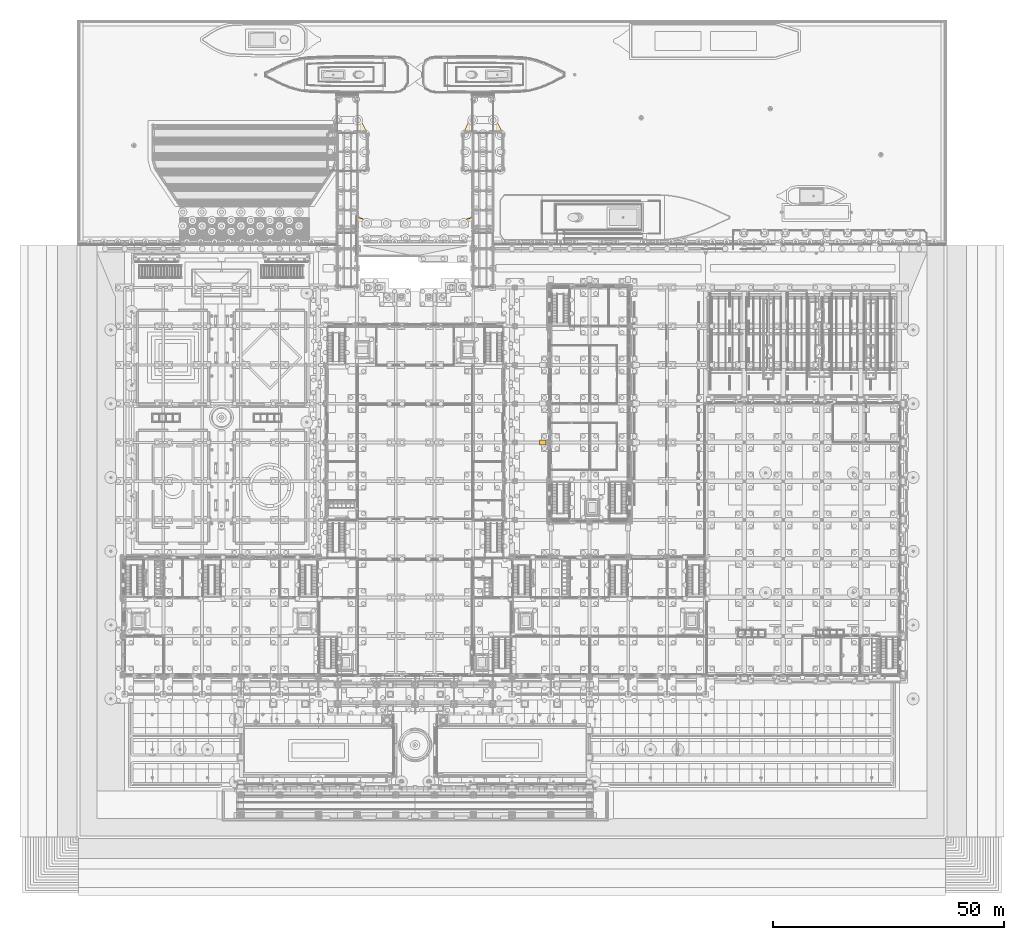
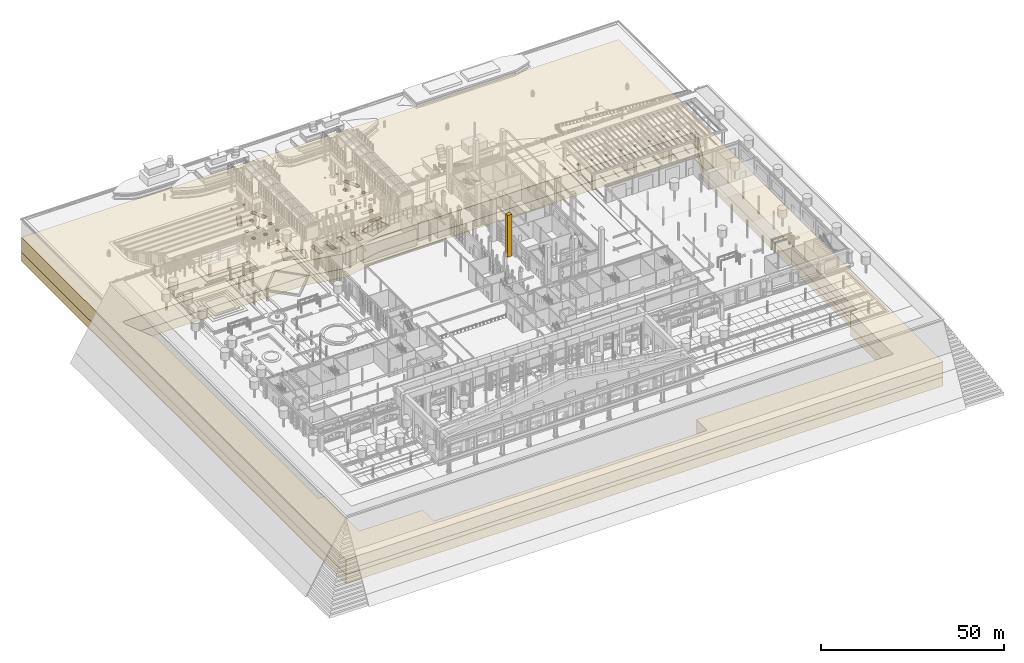
# One storey, part 150 of 222: 3 coverings.
"""IFC4 building model written with IfcOpenShell, lengths in metres."""

from ifc_helpers import new_model, si_unit, direction, frame, origin, origin_2d, place, context, subcontext, project, spatial, polyline, rectangle, outline, extrude, material, layer, layer_set, type_object, element, save


model = new_model("IFC4")

# Units and contexts
model_context = context("Model", 3, precision=1e-05, world=origin(), true_north=direction((0.0, 1.0)))
body_context = subcontext(model_context, "Body", "Model", "MODEL_VIEW")
ifc_project = project(units=[si_unit("LENGTHUNIT", "METRE"), si_unit("AREAUNIT", "SQUARE_METRE"), si_unit("VOLUMEUNIT", "CUBIC_METRE"), si_unit("PLANEANGLEUNIT", "RADIAN"), si_unit("MASSUNIT", "GRAM", prefix="KILO")], contexts=[model_context])

# Site, building, storey
site_placement = place(None, origin())
site = spatial("IfcSite", under=ifc_project, at=site_placement, CompositionType="ELEMENT")
building_placement = place(site_placement, origin())
building = spatial("IfcBuilding", under=site, at=building_placement, Name="Sava Quay Ferry Terminal", CompositionType="ELEMENT")
storey_placement = place(building_placement, origin())
storey = spatial("IfcBuildingStorey", under=building, at=storey_placement, Name="L00", CompositionType="ELEMENT", Elevation=0.0)

# Coverings
ifc_material_1 = material(Name="Marl")
ifc_layer_1 = layer(ifc_material_1, 3.0)
ifc_layer_set_1 = layer_set([ifc_layer_1], Name="Marl")
covering_type_1 = type_object("IfcCoveringType", Name="Marl", PredefinedType="CLADDING", material=ifc_layer_set_1)
covering_1_placement = place(storey_placement, frame((0.0, 0.0, -22.0)))
element("IfcCovering", 1, at=covering_1_placement, inside=storey, type_object=covering_type_1, Name="Marl", PredefinedType="CLADDING", context=body_context, shape_type="SweptSolid", body=[
    extrude(outline(polyline([(-10.0, -10.0), (178.0, -10.0), (178.0, 166.955078125), (-10.0, 166.955078125), (-10.0, -10.0)]), holes=[polyline([(-1.97998046875, 107.06591796875), (-6.030029296875, 116.843994140625), (-6.030029296875, 118.35009765625), (51.303955078125, 118.35009765625), (61.962890625, 116.22998046875), (64.037109375, 116.22998046875), (74.696044921875, 118.35009765625), (174.030029296875, 118.35009765625), (174.030029296875, 116.843994140625), (169.97998046875, 107.06591796875), (169.97998046875, 23.219970703125), (168.030029296875, 23.219970703125), (168.030029296875, -0.030029296875), (106.030029296875, -0.030029296875), (106.030029296875, -6.030029296875), (19.969970703125, -6.030029296875), (19.969970703125, -0.030029296875), (-0.030029296875, -0.030029296875), (-0.030029296875, 19.02001953125), (-1.97998046875, 19.02001953125), (-1.97998046875, 107.06591796875)]), polyline([(53.324951171875, 119.43603515625), (52.02197265625, 119.375), (51.818115234375, 123.720947265625), (53.12109375, 123.781982421875), (53.324951171875, 119.43603515625)]), polyline([(57.52490234375, 119.43603515625), (56.221923828125, 119.375), (56.01806640625, 123.720947265625), (57.321044921875, 123.781982421875), (57.52490234375, 119.43603515625)]), polyline([(61.72509765625, 119.43603515625), (60.422119140625, 119.375), (60.218017578125, 123.720947265625), (61.52099609375, 123.781982421875), (61.72509765625, 119.43603515625)]), polyline([(68.822021484375, 119.375), (68.617919921875, 123.720947265625), (69.9208984375, 123.781982421875), (70.125, 119.43603515625), (68.822021484375, 119.375)]), polyline([(64.6220703125, 119.375), (64.41796875, 123.720947265625), (65.720947265625, 123.781982421875), (65.925048828125, 119.43603515625), (64.6220703125, 119.375)]), polyline([(74.324951171875, 119.43603515625), (73.02197265625, 119.375), (72.818115234375, 123.720947265625), (74.12109375, 123.781982421875), (74.324951171875, 119.43603515625)]), polyline([(38.302978515625, 120.846923828125), (12.096923828125, 120.846923828125), (12.096923828125, 126.052978515625), (38.302978515625, 126.052978515625), (38.302978515625, 120.846923828125)]), polyline([(45.6240234375, 145.073974609375), (45.447021484375, 145.5), (45.6240234375, 145.926025390625), (46.050048828125, 146.10302734375), (46.47607421875, 145.926025390625), (46.653076171875, 145.5), (46.47607421875, 145.073974609375), (46.050048828125, 144.89697265625), (45.6240234375, 145.073974609375)]), polyline([(49.947021484375, 145.5), (50.1240234375, 145.926025390625), (50.550048828125, 146.10302734375), (50.97607421875, 145.926025390625), (51.153076171875, 145.5), (50.97607421875, 145.073974609375), (50.550048828125, 144.89697265625), (50.1240234375, 145.073974609375), (49.947021484375, 145.5)]), polyline([(74.846923828125, 145.5), (75.02392578125, 145.926025390625), (75.449951171875, 146.10302734375), (75.8759765625, 145.926025390625), (76.052978515625, 145.5), (75.8759765625, 145.073974609375), (75.449951171875, 144.89697265625), (75.02392578125, 145.073974609375), (74.846923828125, 145.5)]), polyline([(133.929931640625, 120.679931640625), (133.797119140625, 121.0), (133.929931640625, 121.320068359375), (134.25, 121.452880859375), (134.570068359375, 121.320068359375), (134.702880859375, 121.0), (134.570068359375, 120.679931640625), (134.25, 120.547119140625), (133.929931640625, 120.679931640625)]), polyline([(138.429931640625, 120.679931640625), (138.297119140625, 121.0), (138.429931640625, 121.320068359375), (138.75, 121.452880859375), (139.070068359375, 121.320068359375), (139.202880859375, 121.0), (139.070068359375, 120.679931640625), (138.75, 120.547119140625), (138.429931640625, 120.679931640625)]), polyline([(142.929931640625, 120.679931640625), (142.797119140625, 121.0), (142.929931640625, 121.320068359375), (143.25, 121.452880859375), (143.570068359375, 121.320068359375), (143.702880859375, 121.0), (143.570068359375, 120.679931640625), (143.25, 120.547119140625), (142.929931640625, 120.679931640625)]), polyline([(147.297119140625, 121.0), (147.429931640625, 121.320068359375), (147.75, 121.452880859375), (148.070068359375, 121.320068359375), (148.202880859375, 121.0), (148.070068359375, 120.679931640625), (147.75, 120.547119140625), (147.429931640625, 120.679931640625), (147.297119140625, 121.0)]), polyline([(151.797119140625, 121.0), (151.929931640625, 121.320068359375), (152.25, 121.452880859375), (152.570068359375, 121.320068359375), (152.702880859375, 121.0), (152.570068359375, 120.679931640625), (152.25, 120.547119140625), (151.929931640625, 120.679931640625), (151.797119140625, 121.0)]), polyline([(156.429931640625, 120.679931640625), (156.297119140625, 121.0), (156.429931640625, 121.320068359375), (156.75, 121.452880859375), (157.070068359375, 121.320068359375), (157.202880859375, 121.0), (157.070068359375, 120.679931640625), (156.75, 120.547119140625), (156.429931640625, 120.679931640625)]), polyline([(160.929931640625, 120.679931640625), (160.797119140625, 121.0), (160.929931640625, 121.320068359375), (161.25, 121.452880859375), (161.570068359375, 121.320068359375), (161.702880859375, 121.0), (161.570068359375, 120.679931640625), (161.25, 120.547119140625), (160.929931640625, 120.679931640625)]), polyline([(165.429931640625, 120.679931640625), (165.297119140625, 121.0), (165.429931640625, 121.320068359375), (165.75, 121.452880859375), (166.070068359375, 121.320068359375), (166.202880859375, 121.0), (166.070068359375, 120.679931640625), (165.75, 120.547119140625), (165.429931640625, 120.679931640625)]), polyline([(169.797119140625, 121.0), (169.929931640625, 121.320068359375), (170.25, 121.452880859375), (170.570068359375, 121.320068359375), (170.702880859375, 121.0), (170.570068359375, 120.679931640625), (170.25, 120.547119140625), (169.929931640625, 120.679931640625), (169.797119140625, 121.0)]), polyline([(79.346923828125, 145.5), (79.52392578125, 145.926025390625), (79.949951171875, 146.10302734375), (80.3759765625, 145.926025390625), (80.552978515625, 145.5), (80.3759765625, 145.073974609375), (79.949951171875, 144.89697265625), (79.52392578125, 145.073974609375), (79.346923828125, 145.5)])]), origin(), (0.0, 0.0, 1.0), 3.0),
])
ifc_material_2 = material(Name="Limestone Mutalj", Category="masonry")
ifc_layer_2 = layer(ifc_material_2, 1.35009765625)
ifc_layer_set_2 = layer_set([ifc_layer_2], Name="Limestone Mutalj")
covering_type_2 = type_object("IfcCoveringType", Name="Portico pier 1100", PredefinedType="CLADDING", material=ifc_layer_set_2)
covering_2_placement = place(storey_placement, frame((90.675048828125, 75.60009765625, 0.0), z_axis=(0.0, 0.0, 1.0), x_axis=(1.0, 0.0, 0.0)))
element("IfcCovering", 2, at=covering_2_placement, inside=storey, type_object=covering_type_2, Name="Portico pier", PredefinedType="CLADDING", context=body_context, shape_type="SweptSolid", body=[
    extrude(rectangle(XDim=1.35009765625, YDim=1.10009765625, at=origin_2d()), origin(), (0.0, 0.0, 1.0), 13.89990234375),
])
ifc_material_3 = material(Name="Sand and gravel")
ifc_layer_3 = layer(ifc_material_3, 7.0)
ifc_layer_set_3 = layer_set([ifc_layer_3], Name="Sand and gravel")
covering_type_3 = type_object("IfcCoveringType", Name="Sand and gravel", PredefinedType="CLADDING", material=ifc_layer_set_3)
covering_3_placement = place(storey_placement, frame((0.0, 0.0, -19.0)))
element("IfcCovering", 3, at=covering_3_placement, inside=storey, type_object=covering_type_3, Name="Sand and gravel", PredefinedType="CLADDING", context=body_context, shape_type="SweptSolid", body=[
    extrude(outline(polyline([(-10.0, -10.0), (178.0, -10.0), (178.0, 166.955078125), (-10.0, 166.955078125), (-10.0, -10.0)]), holes=[polyline([(-1.97998046875, 107.06591796875), (-6.030029296875, 116.843994140625), (-6.030029296875, 118.35009765625), (51.303955078125, 118.35009765625), (61.962890625, 116.22998046875), (64.037109375, 116.22998046875), (74.696044921875, 118.35009765625), (174.030029296875, 118.35009765625), (174.030029296875, 116.843994140625), (169.97998046875, 107.06591796875), (169.97998046875, 23.219970703125), (168.030029296875, 23.219970703125), (168.030029296875, -0.030029296875), (106.030029296875, -0.030029296875), (106.030029296875, -6.030029296875), (19.969970703125, -6.030029296875), (19.969970703125, -0.030029296875), (-0.030029296875, -0.030029296875), (-0.030029296875, 19.02001953125), (-1.97998046875, 19.02001953125), (-1.97998046875, 107.06591796875)]), polyline([(52.798095703125, 119.2919921875), (46.342041015625, 121.501953125), (47.678955078125, 125.406005859375), (54.134033203125, 123.196044921875), (52.798095703125, 119.2919921875)]), polyline([(12.096923828125, 120.846923828125), (12.096923828125, 126.052978515625), (38.302978515625, 126.052978515625), (38.302978515625, 120.846923828125), (12.096923828125, 120.846923828125)]), polyline([(46.447021484375, 126.5029296875), (50.153076171875, 126.5029296875), (50.153076171875, 125.4970703125), (46.447021484375, 125.4970703125), (46.447021484375, 126.5029296875)]), polyline([(50.153076171875, 130.702880859375), (50.153076171875, 129.697021484375), (46.447021484375, 129.697021484375), (46.447021484375, 130.702880859375), (50.153076171875, 130.702880859375)]), polyline([(44.1240234375, 135.27587890625), (44.550048828125, 135.452880859375), (44.97607421875, 135.27587890625), (45.153076171875, 134.85009765625), (44.97607421875, 134.424072265625), (44.550048828125, 134.2470703125), (44.1240234375, 134.424072265625), (43.947021484375, 134.85009765625), (44.1240234375, 135.27587890625)]), polyline([(47.697021484375, 134.85009765625), (47.8740234375, 135.27587890625), (48.300048828125, 135.452880859375), (48.72607421875, 135.27587890625), (48.903076171875, 134.85009765625), (48.72607421875, 134.424072265625), (48.300048828125, 134.2470703125), (47.8740234375, 134.424072265625), (47.697021484375, 134.85009765625)]), polyline([(51.447021484375, 134.85009765625), (51.6240234375, 135.27587890625), (52.050048828125, 135.452880859375), (52.47607421875, 135.27587890625), (52.653076171875, 134.85009765625), (52.47607421875, 134.424072265625), (52.050048828125, 134.2470703125), (51.6240234375, 134.424072265625), (51.447021484375, 134.85009765625)]), polyline([(43.947021484375, 138.60009765625), (44.1240234375, 139.02587890625), (44.550048828125, 139.202880859375), (44.97607421875, 139.02587890625), (45.153076171875, 138.60009765625), (44.97607421875, 138.174072265625), (44.550048828125, 137.9970703125), (44.1240234375, 138.174072265625), (43.947021484375, 138.60009765625)]), polyline([(47.8740234375, 139.02587890625), (48.300048828125, 139.202880859375), (48.72607421875, 139.02587890625), (48.903076171875, 138.60009765625), (48.72607421875, 138.174072265625), (48.300048828125, 137.9970703125), (47.8740234375, 138.174072265625), (47.697021484375, 138.60009765625), (47.8740234375, 139.02587890625)]), polyline([(47.8740234375, 142.77587890625), (48.300048828125, 142.952880859375), (48.72607421875, 142.77587890625), (48.903076171875, 142.35009765625), (48.72607421875, 141.924072265625), (48.300048828125, 141.7470703125), (47.8740234375, 141.924072265625), (47.697021484375, 142.35009765625), (47.8740234375, 142.77587890625)]), polyline([(43.72607421875, 142.05810546875), (45.758056640625, 146.323974609375), (46.8740234375, 145.7919921875), (44.842041015625, 141.52587890625), (43.72607421875, 142.05810546875)]), polyline([(51.758056640625, 141.52587890625), (49.72607421875, 145.7919921875), (50.842041015625, 146.323974609375), (52.8740234375, 142.05810546875), (51.758056640625, 141.52587890625)]), polyline([(46.092041015625, 150.0), (46.181884765625, 150.218017578125), (46.39990234375, 150.30810546875), (46.617919921875, 150.218017578125), (46.7080078125, 150.0), (46.617919921875, 149.781982421875), (46.39990234375, 149.69189453125), (46.181884765625, 149.781982421875), (46.092041015625, 150.0)]), polyline([(49.98193359375, 150.218017578125), (50.199951171875, 150.30810546875), (50.41796875, 150.218017578125), (50.508056640625, 150.0), (50.41796875, 149.781982421875), (50.199951171875, 149.69189453125), (49.98193359375, 149.781982421875), (49.89208984375, 150.0), (49.98193359375, 150.218017578125)]), polyline([(56.01806640625, 123.720947265625), (57.321044921875, 123.781982421875), (57.52490234375, 119.43603515625), (56.221923828125, 119.375), (56.01806640625, 123.720947265625)]), polyline([(60.422119140625, 119.375), (60.218017578125, 123.720947265625), (61.52099609375, 123.781982421875), (61.72509765625, 119.43603515625), (60.422119140625, 119.375)]), polyline([(68.617919921875, 123.720947265625), (69.9208984375, 123.781982421875), (70.125, 119.43603515625), (68.822021484375, 119.375), (68.617919921875, 123.720947265625)]), polyline([(64.41796875, 123.720947265625), (65.720947265625, 123.781982421875), (65.925048828125, 119.43603515625), (64.6220703125, 119.375), (64.41796875, 123.720947265625)]), polyline([(79.657958984375, 121.501953125), (73.201904296875, 119.2919921875), (71.865966796875, 123.196044921875), (78.321044921875, 125.406005859375), (79.657958984375, 121.501953125)]), polyline([(79.552978515625, 126.5029296875), (79.552978515625, 125.4970703125), (75.846923828125, 125.4970703125), (75.846923828125, 126.5029296875), (79.552978515625, 126.5029296875)]), polyline([(79.552978515625, 130.702880859375), (79.552978515625, 129.697021484375), (75.846923828125, 129.697021484375), (75.846923828125, 130.702880859375), (79.552978515625, 130.702880859375)]), polyline([(73.346923828125, 134.85009765625), (73.52392578125, 135.27587890625), (73.949951171875, 135.452880859375), (74.3759765625, 135.27587890625), (74.552978515625, 134.85009765625), (74.3759765625, 134.424072265625), (73.949951171875, 134.2470703125), (73.52392578125, 134.424072265625), (73.346923828125, 134.85009765625)]), polyline([(77.096923828125, 134.85009765625), (77.27392578125, 135.27587890625), (77.699951171875, 135.452880859375), (78.1259765625, 135.27587890625), (78.302978515625, 134.85009765625), (78.1259765625, 134.424072265625), (77.699951171875, 134.2470703125), (77.27392578125, 134.424072265625), (77.096923828125, 134.85009765625)]), polyline([(51.447021484375, 138.60009765625), (51.6240234375, 139.02587890625), (52.050048828125, 139.202880859375), (52.47607421875, 139.02587890625), (52.653076171875, 138.60009765625), (52.47607421875, 138.174072265625), (52.050048828125, 137.9970703125), (51.6240234375, 138.174072265625), (51.447021484375, 138.60009765625)]), polyline([(73.52392578125, 139.02587890625), (73.949951171875, 139.202880859375), (74.3759765625, 139.02587890625), (74.552978515625, 138.60009765625), (74.3759765625, 138.174072265625), (73.949951171875, 137.9970703125), (73.52392578125, 138.174072265625), (73.346923828125, 138.60009765625), (73.52392578125, 139.02587890625)]), polyline([(77.27392578125, 142.77587890625), (77.699951171875, 142.952880859375), (78.1259765625, 142.77587890625), (78.302978515625, 142.35009765625), (78.1259765625, 141.924072265625), (77.699951171875, 141.7470703125), (77.27392578125, 141.924072265625), (77.096923828125, 142.35009765625), (77.27392578125, 142.77587890625)]), polyline([(73.1259765625, 142.05810546875), (75.157958984375, 146.323974609375), (76.27392578125, 145.7919921875), (74.241943359375, 141.52587890625), (73.1259765625, 142.05810546875)]), polyline([(75.491943359375, 150.0), (75.58203125, 150.218017578125), (75.800048828125, 150.30810546875), (76.01806640625, 150.218017578125), (76.10791015625, 150.0), (76.01806640625, 149.781982421875), (75.800048828125, 149.69189453125), (75.58203125, 149.781982421875), (75.491943359375, 150.0)]), polyline([(133.797119140625, 121.0), (133.929931640625, 121.320068359375), (134.25, 121.452880859375), (134.570068359375, 121.320068359375), (134.702880859375, 121.0), (134.570068359375, 120.679931640625), (134.25, 120.547119140625), (133.929931640625, 120.679931640625), (133.797119140625, 121.0)]), polyline([(138.429931640625, 121.320068359375), (138.75, 121.452880859375), (139.070068359375, 121.320068359375), (139.202880859375, 121.0), (139.070068359375, 120.679931640625), (138.75, 120.547119140625), (138.429931640625, 120.679931640625), (138.297119140625, 121.0), (138.429931640625, 121.320068359375)]), polyline([(142.929931640625, 121.320068359375), (143.25, 121.452880859375), (143.570068359375, 121.320068359375), (143.702880859375, 121.0), (143.570068359375, 120.679931640625), (143.25, 120.547119140625), (142.929931640625, 120.679931640625), (142.797119140625, 121.0), (142.929931640625, 121.320068359375)]), polyline([(147.297119140625, 121.0), (147.429931640625, 121.320068359375), (147.75, 121.452880859375), (148.070068359375, 121.320068359375), (148.202880859375, 121.0), (148.070068359375, 120.679931640625), (147.75, 120.547119140625), (147.429931640625, 120.679931640625), (147.297119140625, 121.0)]), polyline([(151.797119140625, 121.0), (151.929931640625, 121.320068359375), (152.25, 121.452880859375), (152.570068359375, 121.320068359375), (152.702880859375, 121.0), (152.570068359375, 120.679931640625), (152.25, 120.547119140625), (151.929931640625, 120.679931640625), (151.797119140625, 121.0)]), polyline([(156.297119140625, 121.0), (156.429931640625, 121.320068359375), (156.75, 121.452880859375), (157.070068359375, 121.320068359375), (157.202880859375, 121.0), (157.070068359375, 120.679931640625), (156.75, 120.547119140625), (156.429931640625, 120.679931640625), (156.297119140625, 121.0)]), polyline([(160.929931640625, 121.320068359375), (161.25, 121.452880859375), (161.570068359375, 121.320068359375), (161.702880859375, 121.0), (161.570068359375, 120.679931640625), (161.25, 120.547119140625), (160.929931640625, 120.679931640625), (160.797119140625, 121.0), (160.929931640625, 121.320068359375)]), polyline([(165.429931640625, 121.320068359375), (165.75, 121.452880859375), (166.070068359375, 121.320068359375), (166.202880859375, 121.0), (166.070068359375, 120.679931640625), (165.75, 120.547119140625), (165.429931640625, 120.679931640625), (165.297119140625, 121.0), (165.429931640625, 121.320068359375)]), polyline([(169.797119140625, 121.0), (169.929931640625, 121.320068359375), (170.25, 121.452880859375), (170.570068359375, 121.320068359375), (170.702880859375, 121.0), (170.570068359375, 120.679931640625), (170.25, 120.547119140625), (169.929931640625, 120.679931640625), (169.797119140625, 121.0)]), polyline([(81.02392578125, 135.27587890625), (81.449951171875, 135.452880859375), (81.8759765625, 135.27587890625), (82.052978515625, 134.85009765625), (81.8759765625, 134.424072265625), (81.449951171875, 134.2470703125), (81.02392578125, 134.424072265625), (80.846923828125, 134.85009765625), (81.02392578125, 135.27587890625)]), polyline([(77.27392578125, 139.02587890625), (77.699951171875, 139.202880859375), (78.1259765625, 139.02587890625), (78.302978515625, 138.60009765625), (78.1259765625, 138.174072265625), (77.699951171875, 137.9970703125), (77.27392578125, 138.174072265625), (77.096923828125, 138.60009765625), (77.27392578125, 139.02587890625)]), polyline([(80.846923828125, 138.60009765625), (81.02392578125, 139.02587890625), (81.449951171875, 139.202880859375), (81.8759765625, 139.02587890625), (82.052978515625, 138.60009765625), (81.8759765625, 138.174072265625), (81.449951171875, 137.9970703125), (81.02392578125, 138.174072265625), (80.846923828125, 138.60009765625)]), polyline([(79.1259765625, 145.7919921875), (80.241943359375, 146.323974609375), (82.27392578125, 142.05810546875), (81.157958984375, 141.52587890625), (79.1259765625, 145.7919921875)]), polyline([(79.382080078125, 150.218017578125), (79.60009765625, 150.30810546875), (79.818115234375, 150.218017578125), (79.907958984375, 150.0), (79.818115234375, 149.781982421875), (79.60009765625, 149.69189453125), (79.382080078125, 149.781982421875), (79.2919921875, 150.0), (79.382080078125, 150.218017578125)])]), origin(), (0.0, 0.0, 1.0), 5.0),
])

save(model, "model.ifc")
